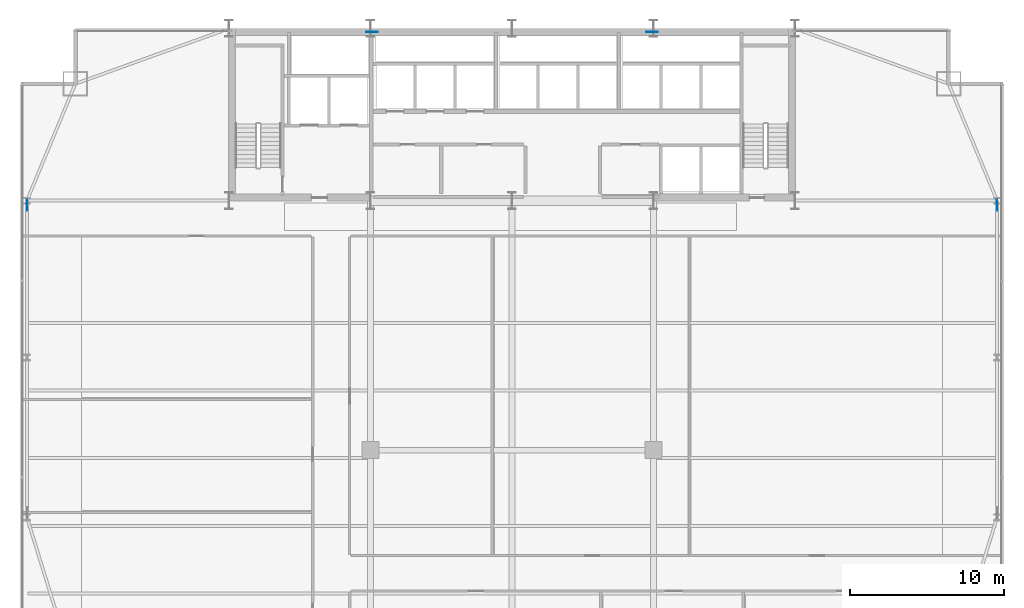
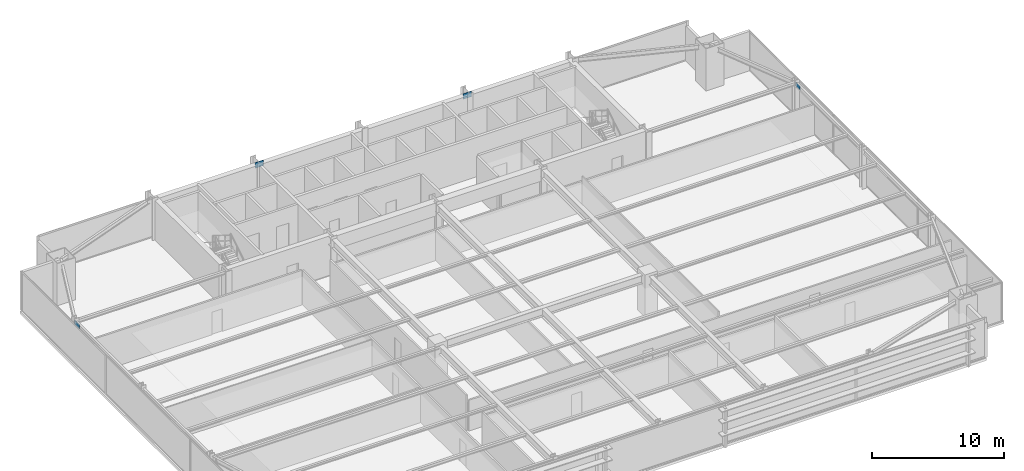
# One storey, part 27 of 32: 4 plates.
"""IFC4 building model written with IfcOpenShell, lengths in metres."""

from ifc_helpers import new_model, si_unit, direction, frame, origin, origin_2d, place, context, subcontext, project, spatial, rectangle, extrude, source, transform, mapped, material, layer, layer_set, type_object, type_shapes, element, save


model = new_model("IFC4")

# Units and contexts
model_context = context("Model", 3, precision=1e-05, world=origin(), true_north=direction((0.0, 1.0)))
body_context = subcontext(model_context, "Body", "Model", "MODEL_VIEW")
ifc_project = project(units=[si_unit("LENGTHUNIT", "METRE"), si_unit("AREAUNIT", "SQUARE_METRE"), si_unit("VOLUMEUNIT", "CUBIC_METRE"), si_unit("PLANEANGLEUNIT", "RADIAN"), si_unit("MASSUNIT", "GRAM", prefix="KILO")], contexts=[model_context])

# Site, building, storey
site_placement = place(None, origin())
site = spatial("IfcSite", under=ifc_project, at=site_placement, CompositionType="ELEMENT")
building_placement = place(site_placement, origin())
building = spatial("IfcBuilding", under=site, at=building_placement, Name="Varnel Quay Broadcast Tower", CompositionType="ELEMENT")
storey_placement = place(building_placement, frame((0.0, 0.0, 54.89990234375)))
storey = spatial("IfcBuildingStorey", under=building, at=storey_placement, Name="L12", CompositionType="ELEMENT", Elevation=54.89990234375)

# Plates
ifc_material = material(Name="Structural Steel CSA G40.21 350WT", Category="steel")
ifc_layer_1 = layer(ifc_material, 0.031982421875, Name="Structural Steel CSA G40.21 350WT")
ifc_layer_set_1 = layer_set([ifc_layer_1], Name="Structural Steel CSA G40.21 350WT")
plate_type_1 = type_object("IfcPlateType", Name="Plate_EndCap", PredefinedType="USERDEFINED", material=ifc_layer_set_1)
shared_shape_1 = source(origin(), body_context, "Body", "SweptSolid", [
    extrude(rectangle(XDim=0.719970703125, YDim=0.031982421875, at=origin_2d()), origin(), (0.0, 0.0, 1.0), 0.3798828125),
])
type_shapes(plate_type_1, [shared_shape_1])
for number, where, z_axis, x_axis, name in (
    (1, (2.449951171875, 35.294921875, 3.21337890625), (0.0, 0.0, 1.0), (0.0, 1.0, 0.0), "Zone 1 Mega-Brace W-FT2 Diag A End Connection Plate P1"),
    (2, (65.550048828125, 35.294921875, 3.21337890625), (0.0, 0.0, 1.0), (0.0, 1.0, 0.0), "Zone 1 Mega-Brace E-FT2 Diag A End Connection Plate P1"),
):
    element("IfcPlate", number, at=place(storey_placement, frame(where, z_axis=z_axis, x_axis=x_axis)), inside=storey, type_object=plate_type_1, Name=name, ObjectType="CAP_PLATE", PredefinedType="USERDEFINED", context=body_context, shape_type="MappedRepresentation", body=[
        mapped(shared_shape_1, transform((0.0, 0.0, 0.0), x_axis=(1.0, 0.0, 0.0), y_axis=(0.0, 1.0, 0.0), z_axis=(0.0, 0.0, 1.0), scale=1.0)),
    ])
ifc_layer_2 = layer(ifc_material, 0.0400390625, Name="Structural Steel CSA G40.21 350WT")
ifc_layer_set_2 = layer_set([ifc_layer_2], Name="Structural Steel CSA G40.21 350WT")
plate_type_2 = type_object("IfcPlateType", Name="Plate_EmbedPlate", PredefinedType="USERDEFINED", material=ifc_layer_set_2)
shared_shape_2 = source(origin(), body_context, "Body", "SweptSolid", [
    extrude(rectangle(XDim=0.739990234375, YDim=0.0400390625, at=origin_2d()), origin(), (0.0, 0.0, 1.0), 0.50390625),
])
type_shapes(plate_type_2, [shared_shape_2])
for number, where, z_axis, x_axis, name in (
    (3, (43.10791015625, 46.580078125, 3.30126953125), (0.0, 0.0, 1.0), (1.0, 0.0, 0.0), "Zone 1 Mega-Brace N-CT2 Diag A Wall Cast-In Embed Plate P1"),
    (4, (24.89208984375, 46.580078125, 3.30126953125), (0.0, 0.0, 1.0), (1.0, 0.0, 0.0), "Zone 1 Mega-Brace N-CT2 Diag B2 Wall Cast-In Embed Plate P1"),
):
    element("IfcPlate", number, at=place(storey_placement, frame(where, z_axis=z_axis, x_axis=x_axis)), inside=storey, type_object=plate_type_2, Name=name, ObjectType="EMBED_PLATE", PredefinedType="USERDEFINED", context=body_context, shape_type="MappedRepresentation", body=[
        mapped(shared_shape_2, transform((0.0, 0.0, 0.0), x_axis=(1.0, 0.0, 0.0), y_axis=(0.0, 1.0, 0.0), z_axis=(0.0, 0.0, 1.0), scale=1.0)),
    ])

save(model, "model.ifc")
